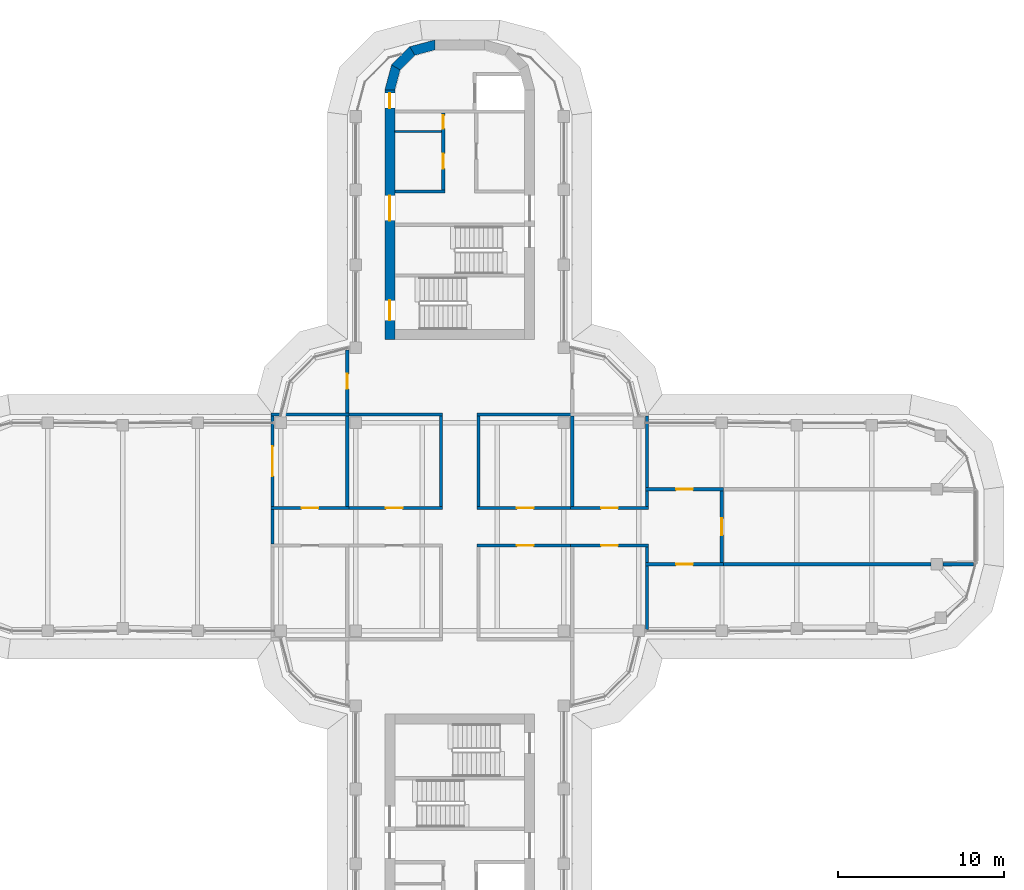
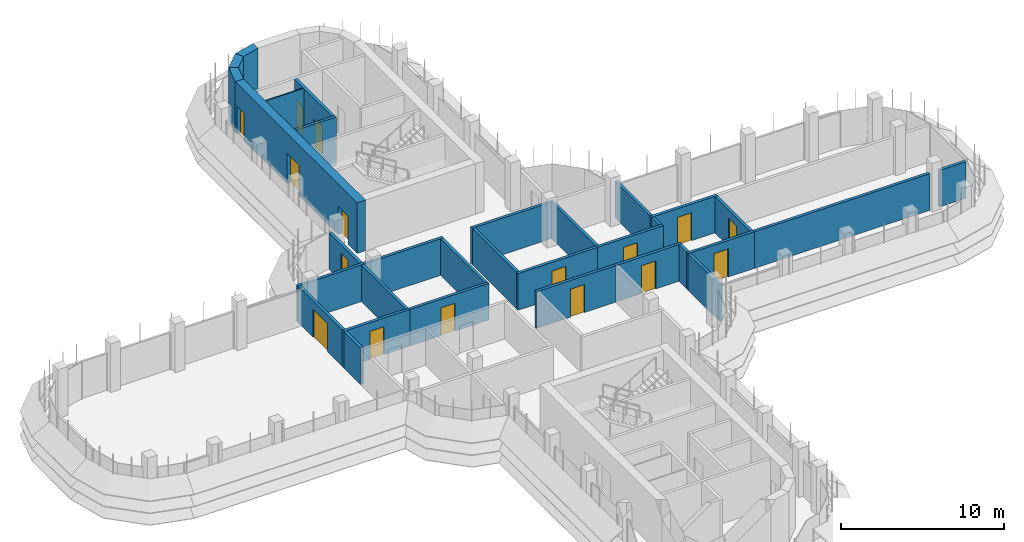
# One storey, part 14 of 19: 32 walls, 16 doors, 16 openings.
"""IFC4 building model written with IfcOpenShell, lengths in metres."""

from ifc_helpers import new_model, si_unit, direction, frame, frame_2d, origin, place, context, subcontext, project, spatial, polyline, rectangle, outline, extrude, material, layer, layer_set, type_object, element, fill, save


model = new_model("IFC4")

# Units and contexts
model_context = context("Model", 3, precision=1e-05, world=origin(), true_north=direction((0.0, 1.0)))
body_context = subcontext(model_context, "Body", "Model", "MODEL_VIEW")
ifc_project = project(units=[si_unit("LENGTHUNIT", "METRE"), si_unit("AREAUNIT", "SQUARE_METRE"), si_unit("VOLUMEUNIT", "CUBIC_METRE"), si_unit("PLANEANGLEUNIT", "RADIAN"), si_unit("MASSUNIT", "GRAM", prefix="KILO")], contexts=[model_context])

# Site, building, storey
site_placement = place(None, origin())
site = spatial("IfcSite", under=ifc_project, at=site_placement, CompositionType="ELEMENT")
building_placement = place(site_placement, origin())
building = spatial("IfcBuilding", under=site, at=building_placement, Name="Zarbagh Exchange Tower", CompositionType="ELEMENT")
storey_placement = place(building_placement, frame((0.0, 0.0, 237.199951171875)))
storey = spatial("IfcBuildingStorey", under=building, at=storey_placement, Name="L58", CompositionType="ELEMENT", Elevation=237.199951171875)

# Wall
ifc_material_1 = material(Name="Dense blockwork", Category="masonry")
ifc_layer_1 = layer(ifc_material_1, 0.10009765625)
ifc_layer_set_1 = layer_set([ifc_layer_1], Name="Core partition 100 mm blockwork")
wall_type_1 = type_object("IfcWallType", Name="Core partition 100 mm blockwork", PredefinedType="PARTITIONING", material=ifc_layer_set_1)
wall_1_placement = place(storey_placement, frame((-3.89990234375, 23.75, 0.0), z_axis=(0.0, 0.0, 1.0), x_axis=(1.0, 0.0, 0.0)))
element("IfcWall", 1, at=wall_1_placement, inside=storey, type_object=wall_type_1, Name="North core partition wall CUT-W-460", PredefinedType="PARTITIONING", context=body_context, shape_type="SweptSolid", body=[
    extrude(rectangle(XDim=2.7998046875, YDim=0.10009765625, at=frame_2d((1.39990234375, 0.0))), origin(), (0.0, 0.0, 1.0), 3.650146484375),
])

# Wall, opening, door
ifc_material_2 = material(Name="Fire-rated plasterboard partition")
ifc_layer_2 = layer(ifc_material_2, 0.199951171875)
ifc_layer_set_2 = layer_set([ifc_layer_2], Name="RATED PARTITION 200")
wall_type_2 = type_object("IfcWallType", Name="RATED PARTITION 200", PredefinedType="PARTITIONING", material=ifc_layer_set_2)
wall_2_placement = place(storey_placement, frame((1.02490234375, 1.125, 0.0), z_axis=(0.0, 0.0, 1.0), x_axis=(1.0, 0.0, 0.0)))
wall_2 = element("IfcWall", 2, at=wall_2_placement, inside=storey, type_object=wall_type_2, Name="Partition W-2501", PredefinedType="PARTITIONING", context=body_context, shape_type="SweptSolid", body=[
    extrude(rectangle(XDim=5.8251953125, YDim=0.199951171875, at=frame_2d((2.91259765625, 0.0))), origin(), (0.0, 0.0, 1.0), 2.745849609375),
])
opening_1_placement = place(wall_2_placement, frame((2.41259765625, 0.0, 0.0)))
opening_1 = element("IfcOpeningElement", 3, at=opening_1_placement, cuts=wall_2, Name="Opening D-2504", PredefinedType="OPENING", context=body_context, shape_type="SweptSolid", body=[
    extrude(rectangle(XDim=1.0, YDim=2.10009765625, at=frame_2d((0.5, 1.050048828125))), frame((0.0, 0.10986328125, 0.0), z_axis=(0.0, -1.0, 0.0), x_axis=(1.0, 0.0, 0.0)), (0.0, 0.0, 1.0), 0.219970703125),
])
ifc_material_3 = material(Name="Steel door set", Category="steel")
door_type_1 = type_object("IfcDoorType", Name="FIRE DOOR 1000 X 2100 FD30S", OperationType="NOTDEFINED", PredefinedType="DOOR", material=ifc_material_3)
door_1_placement = place(opening_1_placement, origin())
door_1 = element("IfcDoor", 4, at=door_1_placement, inside=storey, type_object=door_type_1, Name="Door D-2504", OperationType="SINGLE_SWING_RIGHT", OverallHeight=2.10009765625, OverallWidth=1.0, PredefinedType="DOOR", context=body_context, shape_type="SweptSolid", body=[
    extrude(rectangle(XDim=1.0, YDim=2.10009765625, at=frame_2d((0.5, 1.050048828125))), frame((0.0, 0.02490234375, 0.0), z_axis=(0.0, -1.0, 0.0), x_axis=(1.0, 0.0, 0.0)), (0.0, 0.0, 1.0), 0.050048828125),
])
fill(opening_1, door_1)

wall_3_placement = place(storey_placement, frame((6.64990234375, 1.125, 0.0), z_axis=(0.0, 0.0, 1.0), x_axis=(1.0, 0.0, 0.0)))
wall_3 = element("IfcWall", 5, at=wall_3_placement, inside=storey, type_object=wall_type_2, Name="Partition W-2502", PredefinedType="PARTITIONING", context=body_context, shape_type="SweptSolid", body=[
    extrude(rectangle(XDim=4.7001953125, YDim=0.199951171875, at=frame_2d((2.35009765625, 0.0))), origin(), (0.0, 0.0, 1.0), 2.745849609375),
])
opening_2_placement = place(wall_3_placement, frame((1.85009765625, 0.0, 0.0)))
opening_2 = element("IfcOpeningElement", 6, at=opening_2_placement, cuts=wall_3, Name="Opening D-2505", PredefinedType="OPENING", context=body_context, shape_type="SweptSolid", body=[
    extrude(rectangle(XDim=1.0, YDim=2.10009765625, at=frame_2d((0.5, 1.050048828125))), frame((0.0, 0.10986328125, 0.0), z_axis=(0.0, -1.0, 0.0), x_axis=(1.0, 0.0, 0.0)), (0.0, 0.0, 1.0), 0.219970703125),
])
door_2_placement = place(opening_2_placement, origin())
door_2 = element("IfcDoor", 7, at=door_2_placement, inside=storey, type_object=door_type_1, Name="Door D-2505", OperationType="SINGLE_SWING_RIGHT", OverallHeight=2.10009765625, OverallWidth=1.0, PredefinedType="DOOR", context=body_context, shape_type="SweptSolid", body=[
    extrude(rectangle(XDim=1.0, YDim=2.10009765625, at=frame_2d((0.5, 1.050048828125))), frame((0.0, 0.02490234375, 0.0), z_axis=(0.0, -1.0, 0.0), x_axis=(1.0, 0.0, 0.0)), (0.0, 0.0, 1.0), 0.050048828125),
])
fill(opening_2, door_2)

wall_4_placement = place(storey_placement, frame((-6.85009765625, 1.125, 0.0), z_axis=(0.0, 0.0, 1.0), x_axis=(1.0, 0.0, 0.0)))
wall_4 = element("IfcWall", 8, at=wall_4_placement, inside=storey, type_object=wall_type_2, Name="Partition W-2503", PredefinedType="PARTITIONING", context=body_context, shape_type="SweptSolid", body=[
    extrude(rectangle(XDim=5.8251953125, YDim=0.199951171875, at=frame_2d((2.91259765625, 0.0))), origin(), (0.0, 0.0, 1.0), 2.745849609375),
])
opening_3_placement = place(wall_4_placement, frame((2.41259765625, 0.0, 0.0)))
opening_3 = element("IfcOpeningElement", 9, at=opening_3_placement, cuts=wall_4, Name="Opening D-2507", PredefinedType="OPENING", context=body_context, shape_type="SweptSolid", body=[
    extrude(rectangle(XDim=1.0, YDim=2.10009765625, at=frame_2d((0.5, 1.050048828125))), frame((0.0, 0.10986328125, 0.0), z_axis=(0.0, -1.0, 0.0), x_axis=(1.0, 0.0, 0.0)), (0.0, 0.0, 1.0), 0.219970703125),
])
door_3_placement = place(opening_3_placement, origin())
door_3 = element("IfcDoor", 10, at=door_3_placement, inside=storey, type_object=door_type_1, Name="Door D-2507", OperationType="SINGLE_SWING_RIGHT", OverallHeight=2.10009765625, OverallWidth=1.0, PredefinedType="DOOR", context=body_context, shape_type="SweptSolid", body=[
    extrude(rectangle(XDim=1.0, YDim=2.10009765625, at=frame_2d((0.5, 1.050048828125))), frame((0.0, 0.02490234375, 0.0), z_axis=(0.0, -1.0, 0.0), x_axis=(1.0, 0.0, 0.0)), (0.0, 0.0, 1.0), 0.050048828125),
])
fill(opening_3, door_3)

wall_5_placement = place(storey_placement, frame((-11.35009765625, 1.125, 0.0), z_axis=(0.0, 0.0, 1.0), x_axis=(1.0, 0.0, 0.0)))
wall_5 = element("IfcWall", 11, at=wall_5_placement, inside=storey, type_object=wall_type_2, Name="Partition W-2504", PredefinedType="PARTITIONING", context=body_context, shape_type="SweptSolid", body=[
    extrude(rectangle(XDim=4.7001953125, YDim=0.199951171875, at=frame_2d((2.35009765625, 0.0))), origin(), (0.0, 0.0, 1.0), 2.745849609375),
])
opening_4_placement = place(wall_5_placement, frame((1.85009765625, 0.0, 0.0)))
opening_4 = element("IfcOpeningElement", 12, at=opening_4_placement, cuts=wall_5, Name="Opening D-2508", PredefinedType="OPENING", context=body_context, shape_type="SweptSolid", body=[
    extrude(rectangle(XDim=1.0, YDim=2.10009765625, at=frame_2d((0.5, 1.050048828125))), frame((0.0, 0.10986328125, 0.0), z_axis=(0.0, -1.0, 0.0), x_axis=(1.0, 0.0, 0.0)), (0.0, 0.0, 1.0), 0.219970703125),
])
door_4_placement = place(opening_4_placement, origin())
door_4 = element("IfcDoor", 13, at=door_4_placement, inside=storey, type_object=door_type_1, Name="Door D-2508", OperationType="SINGLE_SWING_RIGHT", OverallHeight=2.10009765625, OverallWidth=1.0, PredefinedType="DOOR", context=body_context, shape_type="SweptSolid", body=[
    extrude(rectangle(XDim=1.0, YDim=2.10009765625, at=frame_2d((0.5, 1.050048828125))), frame((0.0, 0.02490234375, 0.0), z_axis=(0.0, -1.0, 0.0), x_axis=(1.0, 0.0, 0.0)), (0.0, 0.0, 1.0), 0.050048828125),
])
fill(opening_4, door_4)

wall_6_placement = place(storey_placement, frame((6.85009765625, -1.125, 0.0), z_axis=(0.0, 0.0, 1.0), x_axis=(-1.0, 0.0, 0.0)))
wall_6 = element("IfcWall", 14, at=wall_6_placement, inside=storey, type_object=wall_type_2, Name="Partition W-2505", PredefinedType="PARTITIONING", context=body_context, shape_type="SweptSolid", body=[
    extrude(rectangle(XDim=5.8251953125, YDim=0.199951171875, at=frame_2d((2.91259765625, 0.0))), origin(), (0.0, 0.0, 1.0), 2.745849609375),
])
opening_5_placement = place(wall_6_placement, frame((2.41259765625, 0.0, 0.0)))
opening_5 = element("IfcOpeningElement", 15, at=opening_5_placement, cuts=wall_6, Name="Opening D-2510", PredefinedType="OPENING", context=body_context, shape_type="SweptSolid", body=[
    extrude(rectangle(XDim=1.0, YDim=2.10009765625, at=frame_2d((0.5, 1.050048828125))), frame((0.0, 0.10986328125, 0.0), z_axis=(0.0, -1.0, 0.0), x_axis=(1.0, 0.0, 0.0)), (0.0, 0.0, 1.0), 0.219970703125),
])
door_5_placement = place(opening_5_placement, origin())
door_5 = element("IfcDoor", 16, at=door_5_placement, inside=storey, type_object=door_type_1, Name="Door D-2510", OperationType="SINGLE_SWING_RIGHT", OverallHeight=2.10009765625, OverallWidth=1.0, PredefinedType="DOOR", context=body_context, shape_type="SweptSolid", body=[
    extrude(rectangle(XDim=1.0, YDim=2.10009765625, at=frame_2d((0.5, 1.050048828125))), frame((0.0, 0.02490234375, 0.0), z_axis=(0.0, -1.0, 0.0), x_axis=(1.0, 0.0, 0.0)), (0.0, 0.0, 1.0), 0.050048828125),
])
fill(opening_5, door_5)

wall_7_placement = place(storey_placement, frame((11.35009765625, -1.125, 0.0), z_axis=(0.0, 0.0, 1.0), x_axis=(-1.0, 0.0, 0.0)))
wall_7 = element("IfcWall", 17, at=wall_7_placement, inside=storey, type_object=wall_type_2, Name="Partition W-2506", PredefinedType="PARTITIONING", context=body_context, shape_type="SweptSolid", body=[
    extrude(rectangle(XDim=4.7001953125, YDim=0.199951171875, at=frame_2d((2.35009765625, 0.0))), origin(), (0.0, 0.0, 1.0), 2.745849609375),
])
opening_6_placement = place(wall_7_placement, frame((1.85009765625, 0.0, 0.0)))
opening_6 = element("IfcOpeningElement", 18, at=opening_6_placement, cuts=wall_7, Name="Opening D-2511", PredefinedType="OPENING", context=body_context, shape_type="SweptSolid", body=[
    extrude(rectangle(XDim=1.0, YDim=2.10009765625, at=frame_2d((0.5, 1.050048828125))), frame((0.0, 0.10986328125, 0.0), z_axis=(0.0, -1.0, 0.0), x_axis=(1.0, 0.0, 0.0)), (0.0, 0.0, 1.0), 0.219970703125),
])
door_6_placement = place(opening_6_placement, origin())
door_6 = element("IfcDoor", 19, at=door_6_placement, inside=storey, type_object=door_type_1, Name="Door D-2511", OperationType="SINGLE_SWING_RIGHT", OverallHeight=2.10009765625, OverallWidth=1.0, PredefinedType="DOOR", context=body_context, shape_type="SweptSolid", body=[
    extrude(rectangle(XDim=1.0, YDim=2.10009765625, at=frame_2d((0.5, 1.050048828125))), frame((0.0, 0.02490234375, 0.0), z_axis=(0.0, -1.0, 0.0), x_axis=(1.0, 0.0, 0.0)), (0.0, 0.0, 1.0), 0.050048828125),
])
fill(opening_6, door_6)

# Walls
wall_8_placement = place(storey_placement, frame((-11.25, -1.02490234375, 0.0), z_axis=(0.0, 0.0, 1.0), x_axis=(0.0, 1.0, 0.0)))
element("IfcWall", 20, at=wall_8_placement, inside=storey, type_object=wall_type_2, Name="Partition W-2509", PredefinedType="PARTITIONING", context=body_context, shape_type="SweptSolid", body=[
    extrude(rectangle(XDim=2.0498046875, YDim=0.199951171875, at=frame_2d((1.02490234375, 0.0))), origin(), (0.0, 0.0, 1.0), 2.745849609375),
])
for number, where, z_axis, x_axis, name in (
    (21, (1.125, 1.22509765625, 0.0), (0.0, 0.0, 1.0), (0.0, 1.0, 0.0), "Partition W-2510"),
    (22, (-1.125, 1.22509765625, 0.0), (0.0, 0.0, 1.0), (0.0, 1.0, 0.0), "Partition W-2511"),
):
    element("IfcWall", number, at=place(storey_placement, frame(where, z_axis=z_axis, x_axis=x_axis)), inside=storey, type_object=wall_type_2, Name=name, PredefinedType="PARTITIONING", context=body_context, shape_type="SweptSolid", body=[
        extrude(rectangle(XDim=5.4248046875, YDim=0.199951171875, at=frame_2d((2.71240234375, 0.0))), origin(), (0.0, 0.0, 1.0), 2.745849609375),
    ])
for number, where, z_axis, x_axis, name in (
    (23, (1.02490234375, 6.75, 0.0), (0.0, 0.0, 1.0), (1.0, 0.0, 0.0), "Partition W-2514"),
    (24, (-6.85009765625, 6.75, 0.0), (0.0, 0.0, 1.0), (1.0, 0.0, 0.0), "Partition W-2516"),
):
    element("IfcWall", number, at=place(storey_placement, frame(where, z_axis=z_axis, x_axis=x_axis)), inside=storey, type_object=wall_type_2, Name=name, PredefinedType="PARTITIONING", context=body_context, shape_type="SweptSolid", body=[
        extrude(rectangle(XDim=5.8251953125, YDim=0.199951171875, at=frame_2d((2.91259765625, 0.0))), origin(), (0.0, 0.0, 1.0), 2.745849609375),
    ])

# Wall, opening, door
wall_9_placement = place(storey_placement, frame((-6.75, 6.85009765625, 0.0), z_axis=(0.0, 0.0, 1.0), x_axis=(0.0, 1.0, 0.0)))
wall_9 = element("IfcWall", 25, at=wall_9_placement, inside=storey, type_object=wall_type_2, Name="Partition W-2517", PredefinedType="PARTITIONING", context=body_context, shape_type="SweptSolid", body=[
    extrude(rectangle(XDim=3.77978515625, YDim=0.199951171875, at=frame_2d((1.889892578125, 0.0))), origin(), (0.0, 0.0, 1.0), 2.745849609375),
])
opening_7_placement = place(wall_9_placement, frame((1.43994140625, 0.0, 0.0)))
opening_7 = element("IfcOpeningElement", 26, at=opening_7_placement, cuts=wall_9, Name="Opening D-2509", PredefinedType="OPENING", context=body_context, shape_type="SweptSolid", body=[
    extrude(rectangle(XDim=0.89990234375, YDim=2.10009765625, at=frame_2d((0.449951171875, 1.050048828125))), frame((0.0, 0.10986328125, 0.0), z_axis=(0.0, -1.0, 0.0), x_axis=(1.0, 0.0, 0.0)), (0.0, 0.0, 1.0), 0.219970703125),
])
ifc_material_4 = material(Name="Timber door leaf", Category="wood")
door_type_2 = type_object("IfcDoorType", Name="DOOR 900 X 2100", OperationType="NOTDEFINED", PredefinedType="DOOR", material=ifc_material_4)
door_7_placement = place(opening_7_placement, origin())
door_7 = element("IfcDoor", 27, at=door_7_placement, inside=storey, type_object=door_type_2, Name="Door D-2509", OperationType="SINGLE_SWING_LEFT", OverallHeight=2.10009765625, OverallWidth=0.89990234375, PredefinedType="DOOR", context=body_context, shape_type="SweptSolid", body=[
    extrude(rectangle(XDim=0.89990234375, YDim=2.10009765625, at=frame_2d((0.449951171875, 1.050048828125))), frame((0.0, 0.02490234375, 0.0), z_axis=(0.0, -1.0, 0.0), x_axis=(1.0, 0.0, 0.0)), (0.0, 0.0, 1.0), 0.050048828125),
])
fill(opening_7, door_7)

# Walls
wall_10_placement = place(storey_placement, frame((6.75, 1.22509765625, 0.0), z_axis=(0.0, 0.0, 1.0), x_axis=(0.0, 1.0, 0.0)))
element("IfcWall", 28, at=wall_10_placement, inside=storey, type_object=wall_type_2, Name="Partition W-2522", PredefinedType="PARTITIONING", context=body_context, shape_type="SweptSolid", body=[
    extrude(rectangle(XDim=5.4248046875, YDim=0.199951171875, at=frame_2d((2.71240234375, 0.0))), origin(), (0.0, 0.0, 1.0), 2.745849609375),
])
wall_11_placement = place(storey_placement, frame((11.25, 1.22509765625, 0.0), z_axis=(0.0, 0.0, 1.0), x_axis=(0.0, 1.0, 0.0)))
element("IfcWall", 29, at=wall_11_placement, inside=storey, type_object=wall_type_2, Name="Partition W-2524", PredefinedType="PARTITIONING", context=body_context, shape_type="SweptSolid", body=[
    extrude(rectangle(XDim=0.9248046875, YDim=0.199951171875, at=frame_2d((0.46240234375, 0.0))), origin(), (0.0, 0.0, 1.0), 2.745849609375),
])
wall_12_placement = place(storey_placement, frame((11.25, 2.35009765625, 0.0), z_axis=(0.0, 0.0, 1.0), x_axis=(0.0, 1.0, 0.0)))
element("IfcWall", 30, at=wall_12_placement, inside=storey, type_object=wall_type_2, Name="Partition W-2525", PredefinedType="PARTITIONING", context=body_context, shape_type="SweptSolid", body=[
    extrude(rectangle(XDim=4.2998046875, YDim=0.199951171875, at=frame_2d((2.14990234375, 0.0))), origin(), (0.0, 0.0, 1.0), 2.745849609375),
])
wall_13_placement = place(storey_placement, frame((-6.75, 1.22509765625, 0.0), z_axis=(0.0, 0.0, 1.0), x_axis=(0.0, 1.0, 0.0)))
element("IfcWall", 31, at=wall_13_placement, inside=storey, type_object=wall_type_2, Name="Partition W-2526", PredefinedType="PARTITIONING", context=body_context, shape_type="SweptSolid", body=[
    extrude(rectangle(XDim=5.4248046875, YDim=0.199951171875, at=frame_2d((2.71240234375, 0.0))), origin(), (0.0, 0.0, 1.0), 2.745849609375),
])
wall_14_placement = place(storey_placement, frame((-11.35009765625, 6.75, 0.0), z_axis=(0.0, 0.0, 1.0), x_axis=(1.0, 0.0, 0.0)))
element("IfcWall", 32, at=wall_14_placement, inside=storey, type_object=wall_type_2, Name="Partition W-2527", PredefinedType="PARTITIONING", context=body_context, shape_type="SweptSolid", body=[
    extrude(rectangle(XDim=4.7001953125, YDim=0.199951171875, at=frame_2d((2.35009765625, 0.0))), origin(), (0.0, 0.0, 1.0), 2.745849609375),
])

# Wall, opening, door
wall_15_placement = place(storey_placement, frame((-11.25, 1.22509765625, 0.0), z_axis=(0.0, 0.0, 1.0), x_axis=(0.0, 1.0, 0.0)))
wall_15 = element("IfcWall", 33, at=wall_15_placement, inside=storey, type_object=wall_type_2, Name="Partition W-2528", PredefinedType="PARTITIONING", context=body_context, shape_type="SweptSolid", body=[
    extrude(rectangle(XDim=5.4248046875, YDim=0.199951171875, at=frame_2d((2.71240234375, 0.0))), origin(), (0.0, 0.0, 1.0), 2.745849609375),
])
opening_8_placement = place(wall_15_placement, frame((1.8125, 0.0, 0.0)))
opening_8 = element("IfcOpeningElement", 34, at=opening_8_placement, cuts=wall_15, Name="Opening D-2515", PredefinedType="OPENING", context=body_context, shape_type="SweptSolid", body=[
    extrude(rectangle(XDim=1.800048828125, YDim=2.10009765625, at=frame_2d((0.89990234375, 1.050048828125))), frame((0.0, 0.10986328125, 0.0), z_axis=(0.0, -1.0, 0.0), x_axis=(1.0, 0.0, 0.0)), (0.0, 0.0, 1.0), 0.219970703125),
])
door_type_3 = type_object("IfcDoorType", Name="FIRE DOUBLE DOOR 1800 X 2100 FD30S", OperationType="DOUBLE_DOOR_SINGLE_SWING", PredefinedType="DOOR", material=ifc_material_3)
door_8_placement = place(opening_8_placement, origin())
door_8 = element("IfcDoor", 35, at=door_8_placement, inside=storey, type_object=door_type_3, Name="Door D-2515", OperationType="DOUBLE_DOOR_SINGLE_SWING", OverallHeight=2.10009765625, OverallWidth=1.800048828125, PredefinedType="DOOR", context=body_context, shape_type="SweptSolid", body=[
    extrude(rectangle(XDim=1.800048828125, YDim=2.10009765625, at=frame_2d((0.89990234375, 1.050048828125))), frame((0.0, 0.02490234375, 0.0), z_axis=(0.0, -1.0, 0.0), x_axis=(1.0, 0.0, 0.0)), (0.0, 0.0, 1.0), 0.050048828125),
])
fill(opening_8, door_8)

# Walls
wall_16_placement = place(storey_placement, frame((11.25, -2.14990234375, 0.0), z_axis=(0.0, 0.0, 1.0), x_axis=(0.0, 1.0, 0.0)))
element("IfcWall", 36, at=wall_16_placement, inside=storey, type_object=wall_type_2, Name="Partition W-2530", PredefinedType="PARTITIONING", context=body_context, shape_type="SweptSolid", body=[
    extrude(rectangle(XDim=0.9248046875, YDim=0.199951171875, at=frame_2d((0.46240234375, 0.0))), origin(), (0.0, 0.0, 1.0), 2.745849609375),
])
wall_17_placement = place(storey_placement, frame((11.25, -6.169921875, 0.0), z_axis=(0.0, 0.0, 1.0), x_axis=(0.0, 1.0, 0.0)))
element("IfcWall", 37, at=wall_17_placement, inside=storey, type_object=wall_type_2, Name="Partition W-2531", PredefinedType="PARTITIONING", context=body_context, shape_type="SweptSolid", body=[
    extrude(rectangle(XDim=3.81982421875, YDim=0.199951171875, at=frame_2d((1.909912109375, 0.0))), origin(), (0.0, 0.0, 1.0), 2.745849609375),
])

# Wall, opening, door
wall_18_placement = place(storey_placement, frame((11.14990234375, 2.25, 0.0), z_axis=(0.0, 0.0, 1.0), x_axis=(1.0, 0.0, 0.0)))
wall_18 = element("IfcWall", 38, at=wall_18_placement, inside=storey, type_object=wall_type_2, Name="Partition W-2535", PredefinedType="PARTITIONING", context=body_context, shape_type="SweptSolid", body=[
    extrude(rectangle(XDim=4.7001953125, YDim=0.199951171875, at=frame_2d((2.35009765625, 0.0))), origin(), (0.0, 0.0, 1.0), 2.745849609375),
])
opening_9_placement = place(wall_18_placement, frame((1.85009765625, 0.0, 0.0)))
opening_9 = element("IfcOpeningElement", 39, at=opening_9_placement, cuts=wall_18, Name="Opening D-2502", PredefinedType="OPENING", context=body_context, shape_type="SweptSolid", body=[
    extrude(rectangle(XDim=1.0, YDim=2.10009765625, at=frame_2d((0.5, 1.050048828125))), frame((0.0, 0.10986328125, 0.0), z_axis=(0.0, -1.0, 0.0), x_axis=(1.0, 0.0, 0.0)), (0.0, 0.0, 1.0), 0.219970703125),
])
door_9_placement = place(opening_9_placement, origin())
door_9 = element("IfcDoor", 40, at=door_9_placement, inside=storey, type_object=door_type_1, Name="Door D-2502", OperationType="SINGLE_SWING_RIGHT", OverallHeight=2.10009765625, OverallWidth=1.0, PredefinedType="DOOR", context=body_context, shape_type="SweptSolid", body=[
    extrude(rectangle(XDim=1.0, YDim=2.10009765625, at=frame_2d((0.5, 1.050048828125))), frame((0.0, 0.02490234375, 0.0), z_axis=(0.0, -1.0, 0.0), x_axis=(1.0, 0.0, 0.0)), (0.0, 0.0, 1.0), 0.050048828125),
])
fill(opening_9, door_9)

wall_19_placement = place(storey_placement, frame((15.85009765625, -2.25, 0.0), z_axis=(0.0, 0.0, 1.0), x_axis=(-1.0, 0.0, 0.0)))
wall_19 = element("IfcWall", 41, at=wall_19_placement, inside=storey, type_object=wall_type_2, Name="Partition W-2536", PredefinedType="PARTITIONING", context=body_context, shape_type="SweptSolid", body=[
    extrude(rectangle(XDim=4.7001953125, YDim=0.199951171875, at=frame_2d((2.35009765625, 0.0))), origin(), (0.0, 0.0, 1.0), 2.745849609375),
])
opening_10_placement = place(wall_19_placement, frame((1.85009765625, 0.0, 0.0)))
opening_10 = element("IfcOpeningElement", 42, at=opening_10_placement, cuts=wall_19, Name="Opening D-2503", PredefinedType="OPENING", context=body_context, shape_type="SweptSolid", body=[
    extrude(rectangle(XDim=1.0, YDim=2.10009765625, at=frame_2d((0.5, 1.050048828125))), frame((0.0, 0.10986328125, 0.0), z_axis=(0.0, -1.0, 0.0), x_axis=(1.0, 0.0, 0.0)), (0.0, 0.0, 1.0), 0.219970703125),
])
door_10_placement = place(opening_10_placement, origin())
door_10 = element("IfcDoor", 43, at=door_10_placement, inside=storey, type_object=door_type_1, Name="Door D-2503", OperationType="SINGLE_SWING_RIGHT", OverallHeight=2.10009765625, OverallWidth=1.0, PredefinedType="DOOR", context=body_context, shape_type="SweptSolid", body=[
    extrude(rectangle(XDim=1.0, YDim=2.10009765625, at=frame_2d((0.5, 1.050048828125))), frame((0.0, 0.02490234375, 0.0), z_axis=(0.0, -1.0, 0.0), x_axis=(1.0, 0.0, 0.0)), (0.0, 0.0, 1.0), 0.050048828125),
])
fill(opening_10, door_10)

wall_20_placement = place(storey_placement, frame((15.75, 2.14990234375, 0.0), z_axis=(0.0, 0.0, 1.0), x_axis=(0.0, -1.0, 0.0)))
wall_20 = element("IfcWall", 44, at=wall_20_placement, inside=storey, type_object=wall_type_2, Name="Partition W-2537", PredefinedType="PARTITIONING", context=body_context, shape_type="SweptSolid", body=[
    extrude(rectangle(XDim=4.2998046875, YDim=0.199951171875, at=frame_2d((2.14990234375, 0.0))), origin(), (0.0, 0.0, 1.0), 2.745849609375),
])
opening_11_placement = place(wall_20_placement, frame((1.64990234375, 0.0, 0.0)))
opening_11 = element("IfcOpeningElement", 45, at=opening_11_placement, cuts=wall_20, Name="Opening D-2501", PredefinedType="OPENING", context=body_context, shape_type="SweptSolid", body=[
    extrude(rectangle(XDim=1.0, YDim=2.10009765625, at=frame_2d((0.5, 1.050048828125))), frame((0.0, 0.10986328125, 0.0), z_axis=(0.0, -1.0, 0.0), x_axis=(1.0, 0.0, 0.0)), (0.0, 0.0, 1.0), 0.219970703125),
])
door_11_placement = place(opening_11_placement, origin())
door_11 = element("IfcDoor", 46, at=door_11_placement, inside=storey, type_object=door_type_1, Name="Door D-2501", OperationType="SINGLE_SWING_RIGHT", OverallHeight=2.10009765625, OverallWidth=1.0, PredefinedType="DOOR", context=body_context, shape_type="SweptSolid", body=[
    extrude(rectangle(XDim=1.0, YDim=2.10009765625, at=frame_2d((0.5, 1.050048828125))), frame((0.0, 0.02490234375, 0.0), z_axis=(0.0, -1.0, 0.0), x_axis=(1.0, 0.0, 0.0)), (0.0, 0.0, 1.0), 0.050048828125),
])
fill(opening_11, door_11)

# Walls
wall_21_placement = place(storey_placement, frame((15.64990234375, -2.25, 0.0), z_axis=(0.0, 0.0, 1.0), x_axis=(1.0, 0.0, 0.0)))
element("IfcWall", 47, at=wall_21_placement, inside=storey, type_object=wall_type_2, Name="Partition W-2540", PredefinedType="PARTITIONING", context=body_context, shape_type="SweptSolid", body=[
    extrude(rectangle(XDim=12.670166015625, YDim=0.199951171875, at=frame_2d((6.3349609375, 0.0))), origin(), (0.0, 0.0, 1.0), 2.745849609375),
])
wall_22_placement = place(storey_placement, frame((29.02001953125, -2.25, 0.0), z_axis=(0.0, 0.0, 1.0), x_axis=(1.0, 0.0, 0.0)))
element("IfcWall", 48, at=wall_22_placement, inside=storey, type_object=wall_type_2, Name="Partition W-2541", PredefinedType="PARTITIONING", context=body_context, shape_type="SweptSolid", body=[
    extrude(rectangle(XDim=1.85986328125, YDim=0.199951171875, at=frame_2d((0.929931640625, 0.0))), origin(), (0.0, 0.0, 1.0), 2.745849609375),
])
ifc_material_5 = material(Name="Concrete C50/60", Category="concrete")
ifc_layer_3 = layer(ifc_material_5, 0.60009765625)
ifc_layer_set_3 = layer_set([ifc_layer_3], Name="RC core corner wall 600 C50/60")
wall_type_3 = type_object("IfcWallType", Name="RC core corner wall 600 C50/60", PredefinedType="SHEAR", material=ifc_layer_set_3)
wall_23_placement = place(storey_placement, origin())
element("IfcWall", 49, at=wall_23_placement, inside=storey, type_object=wall_type_3, Name="CW8 core N corner W", PredefinedType="SHEAR", context=body_context, shape_type="SweptSolid", body=[
    extrude(outline(polyline([(-4.5, 26.25), (-4.09814453125, 27.75), (-3.57861328125, 27.449951171875), (-3.89990234375, 26.25), (-4.5, 26.25)])), origin(), (0.0, 0.0, 1.0), 3.800048828125),
])
wall_24_placement = place(storey_placement, origin())
element("IfcWall", 50, at=wall_24_placement, inside=storey, type_object=wall_type_3, Name="CW8 core N corner W", PredefinedType="SHEAR", context=body_context, shape_type="SweptSolid", body=[
    extrude(outline(polyline([(-4.09814453125, 27.75), (-3.0, 28.84814453125), (-2.699951171875, 28.32861328125), (-3.57861328125, 27.449951171875), (-4.09814453125, 27.75)])), origin(), (0.0, 0.0, 1.0), 3.800048828125),
])
wall_25_placement = place(storey_placement, origin())
element("IfcWall", 51, at=wall_25_placement, inside=storey, type_object=wall_type_3, Name="CW8 core N corner W", PredefinedType="SHEAR", context=body_context, shape_type="SweptSolid", body=[
    extrude(outline(polyline([(-3.0, 28.84814453125), (-1.5, 29.25), (-1.5, 28.64990234375), (-2.699951171875, 28.32861328125), (-3.0, 28.84814453125)])), origin(), (0.0, 0.0, 1.0), 3.800048828125),
])

# Wall, openings, doors
ifc_layer_4 = layer(ifc_material_5, 0.60009765625)
ifc_layer_set_4 = layer_set([ifc_layer_4], Name="RC core wall 600 C50/60")
wall_type_4 = type_object("IfcWallType", Name="RC core wall 600 C50/60", PredefinedType="SHEAR", material=ifc_layer_set_4)
wall_26_placement = place(storey_placement, frame((-4.199951171875, 11.25, 0.0), z_axis=(0.0, 0.0, 1.0), x_axis=(0.0, 1.0, 0.0)))
wall_26 = element("IfcWall", 52, at=wall_26_placement, inside=storey, type_object=wall_type_4, Name="CW7 core N W", PredefinedType="SHEAR", context=body_context, shape_type="SweptSolid", body=[
    extrude(rectangle(XDim=15.0, YDim=0.60009765625, at=frame_2d((7.5, 0.0))), origin(), (0.0, 0.0, 1.0), 3.800048828125),
])
opening_12_placement = place(wall_26_placement, frame((7.14990234375, 0.0, 0.0)))
opening_12 = element("IfcOpeningElement", 53, at=opening_12_placement, cuts=wall_26, Name="Opening CD1-1500", PredefinedType="OPENING", context=body_context, shape_type="SweptSolid", body=[
    extrude(rectangle(XDim=1.5, YDim=2.300048828125, at=frame_2d((0.75, 1.14990234375))), frame((0.0, 0.31005859375, 0.0), z_axis=(0.0, -1.0, 0.0), x_axis=(1.0, 0.0, 0.0)), (0.0, 0.0, 1.0), 0.6201171875),
])
opening_13_placement = place(wall_26_placement, frame((13.89990234375, 0.0, 0.0)))
opening_13 = element("IfcOpeningElement", 54, at=opening_13_placement, cuts=wall_26, Name="Opening CD2-900", PredefinedType="OPENING", context=body_context, shape_type="SweptSolid", body=[
    extrude(rectangle(XDim=0.89990234375, YDim=2.10009765625, at=frame_2d((0.449951171875, 1.050048828125))), frame((0.0, 0.31005859375, 0.0), z_axis=(0.0, -1.0, 0.0), x_axis=(1.0, 0.0, 0.0)), (0.0, 0.0, 1.0), 0.6201171875),
])
opening_14_placement = place(wall_26_placement, frame((1.14990234375, 0.0, 0.0)))
opening_14 = element("IfcOpeningElement", 55, at=opening_14_placement, cuts=wall_26, Name="Opening SD1-1200", PredefinedType="OPENING", context=body_context, shape_type="SweptSolid", body=[
    extrude(rectangle(XDim=1.199951171875, YDim=2.10009765625, at=frame_2d((0.60009765625, 1.050048828125))), frame((0.0, 0.31005859375, 0.0), z_axis=(0.0, -1.0, 0.0), x_axis=(1.0, 0.0, 0.0)), (0.0, 0.0, 1.0), 0.6201171875),
])
ifc_material_6 = material(Name="Steel", Category="steel")
door_type_4 = type_object("IfcDoorType", Name="Exit stair door 1200 x 2100", OperationType="NOTDEFINED", PredefinedType="DOOR", material=ifc_material_6)
door_12_placement = place(opening_14_placement, origin())
door_12 = element("IfcDoor", 56, at=door_12_placement, inside=storey, type_object=door_type_4, Name="North core stair door ST2", OperationType="SINGLE_SWING_RIGHT", OverallHeight=2.10009765625, OverallWidth=1.199951171875, PredefinedType="DOOR", context=body_context, shape_type="SweptSolid", body=[
    extrude(rectangle(XDim=1.199951171875, YDim=2.10009765625, at=frame_2d((0.60009765625, 1.050048828125))), frame((0.0, 0.02490234375, 0.0), z_axis=(0.0, -1.0, 0.0), x_axis=(1.0, 0.0, 0.0)), (0.0, 0.0, 1.0), 0.050048828125),
])
fill(opening_14, door_12)
door_type_5 = type_object("IfcDoorType", Name="Firefighting lobby door 900 x 2100", OperationType="NOTDEFINED", PredefinedType="DOOR", material=ifc_material_6)
door_13_placement = place(opening_13_placement, origin())
door_13 = element("IfcDoor", 57, at=door_13_placement, inside=storey, type_object=door_type_5, Name="North core firefighting lobby door FF-W", OperationType="SINGLE_SWING_LEFT", OverallHeight=2.10009765625, OverallWidth=0.89990234375, PredefinedType="DOOR", context=body_context, shape_type="SweptSolid", body=[
    extrude(rectangle(XDim=0.89990234375, YDim=2.10009765625, at=frame_2d((0.449951171875, 1.050048828125))), frame((0.0, 0.02490234375, 0.0), z_axis=(0.0, -1.0, 0.0), x_axis=(1.0, 0.0, 0.0)), (0.0, 0.0, 1.0), 0.050048828125),
])
fill(opening_13, door_13)
door_type_6 = type_object("IfcDoorType", Name="Lift lobby double door 1500 x 2300", OperationType="NOTDEFINED", PredefinedType="DOOR", material=ifc_material_6)
door_14_placement = place(opening_12_placement, origin())
door_14 = element("IfcDoor", 58, at=door_14_placement, inside=storey, type_object=door_type_6, Name="North core lift lobby door LOBBY-W", OperationType="DOUBLE_DOOR_SINGLE_SWING", OverallHeight=2.300048828125, OverallWidth=1.5, PredefinedType="DOOR", context=body_context, shape_type="SweptSolid", body=[
    extrude(rectangle(XDim=1.5, YDim=2.300048828125, at=frame_2d((0.75, 1.14990234375))), frame((0.0, 0.02490234375, 0.0), z_axis=(0.0, -1.0, 0.0), x_axis=(1.0, 0.0, 0.0)), (0.0, 0.0, 1.0), 0.050048828125),
])
fill(opening_12, door_14)

# Wall
ifc_layer_5 = layer(ifc_material_1, 0.199951171875)
ifc_layer_set_5 = layer_set([ifc_layer_5], Name="Shaft wall 200 mm blockwork")
wall_type_5 = type_object("IfcWallType", Name="Shaft wall 200 mm blockwork", PredefinedType="PARTITIONING", material=ifc_layer_set_5)
wall_27_placement = place(storey_placement, frame((-3.89990234375, 20.14990234375, 0.0), z_axis=(0.0, 0.0, 1.0), x_axis=(1.0, 0.0, 0.0)))
element("IfcWall", 59, at=wall_27_placement, inside=storey, type_object=wall_type_5, Name="North core shaft wall AB-W", PredefinedType="PARTITIONING", context=body_context, shape_type="SweptSolid", body=[
    extrude(rectangle(XDim=3.0, YDim=0.199951171875, at=frame_2d((1.5, 0.0))), origin(), (0.0, 0.0, 1.0), 3.650146484375),
])

# Wall, openings, doors
wall_28_placement = place(storey_placement, frame((-1.0, 24.85009765625, 0.0), z_axis=(0.0, 0.0, 1.0), x_axis=(0.0, -1.0, 0.0)))
wall_28 = element("IfcWall", 60, at=wall_28_placement, inside=storey, type_object=wall_type_5, Name="North core shaft wall LW-W", PredefinedType="PARTITIONING", context=body_context, shape_type="SweptSolid", body=[
    extrude(rectangle(XDim=4.60009765625, YDim=0.199951171875, at=frame_2d((2.300048828125, 0.0))), origin(), (0.0, 0.0, 1.0), 3.650146484375),
])
opening_15_placement = place(wall_28_placement, frame((0.125, 0.0, 0.0)))
opening_15 = element("IfcOpeningElement", 61, at=opening_15_placement, cuts=wall_28, Name="Opening CD3-800", PredefinedType="OPENING", context=body_context, shape_type="SweptSolid", body=[
    extrude(rectangle(XDim=0.800048828125, YDim=2.10009765625, at=frame_2d((0.39990234375, 1.050048828125))), frame((0.0, 0.10986328125, 0.0), z_axis=(0.0, -1.0, 0.0), x_axis=(1.0, 0.0, 0.0)), (0.0, 0.0, 1.0), 0.219970703125),
])
opening_16_placement = place(wall_28_placement, frame((2.425048828125, 0.0, 0.0)))
opening_16 = element("IfcOpeningElement", 62, at=opening_16_placement, cuts=wall_28, Name="Opening CD3-900", PredefinedType="OPENING", context=body_context, shape_type="SweptSolid", body=[
    extrude(rectangle(XDim=0.89990234375, YDim=2.10009765625, at=frame_2d((0.449951171875, 1.050048828125))), frame((0.0, 0.10986328125, 0.0), z_axis=(0.0, -1.0, 0.0), x_axis=(1.0, 0.0, 0.0)), (0.0, 0.0, 1.0), 0.219970703125),
])
door_type_7 = type_object("IfcDoorType", Name="Core room door 800 x 2100", OperationType="NOTDEFINED", PredefinedType="DOOR", material=ifc_material_6)
door_15_placement = place(opening_15_placement, origin())
door_15 = element("IfcDoor", 63, at=door_15_placement, inside=storey, type_object=door_type_7, Name="North core Store door RD-W-0", OperationType="SINGLE_SWING_RIGHT", OverallHeight=2.10009765625, OverallWidth=0.800048828125, PredefinedType="DOOR", context=body_context, shape_type="SweptSolid", body=[
    extrude(rectangle(XDim=0.800048828125, YDim=2.10009765625, at=frame_2d((0.39990234375, 1.050048828125))), frame((0.0, 0.02490234375, 0.0), z_axis=(0.0, -1.0, 0.0), x_axis=(1.0, 0.0, 0.0)), (0.0, 0.0, 1.0), 0.050048828125),
])
fill(opening_15, door_15)
door_type_8 = type_object("IfcDoorType", Name="Core room door 900 x 2100", OperationType="NOTDEFINED", PredefinedType="DOOR", material=ifc_material_6)
door_16_placement = place(opening_16_placement, origin())
door_16 = element("IfcDoor", 64, at=door_16_placement, inside=storey, type_object=door_type_8, Name="North core Accessible WC door RD-W-1", OperationType="SINGLE_SWING_RIGHT", OverallHeight=2.10009765625, OverallWidth=0.89990234375, PredefinedType="DOOR", context=body_context, shape_type="SweptSolid", body=[
    extrude(rectangle(XDim=0.89990234375, YDim=2.10009765625, at=frame_2d((0.449951171875, 1.050048828125))), frame((0.0, 0.02490234375, 0.0), z_axis=(0.0, -1.0, 0.0), x_axis=(1.0, 0.0, 0.0)), (0.0, 0.0, 1.0), 0.050048828125),
])
fill(opening_16, door_16)

save(model, "model.ifc")
